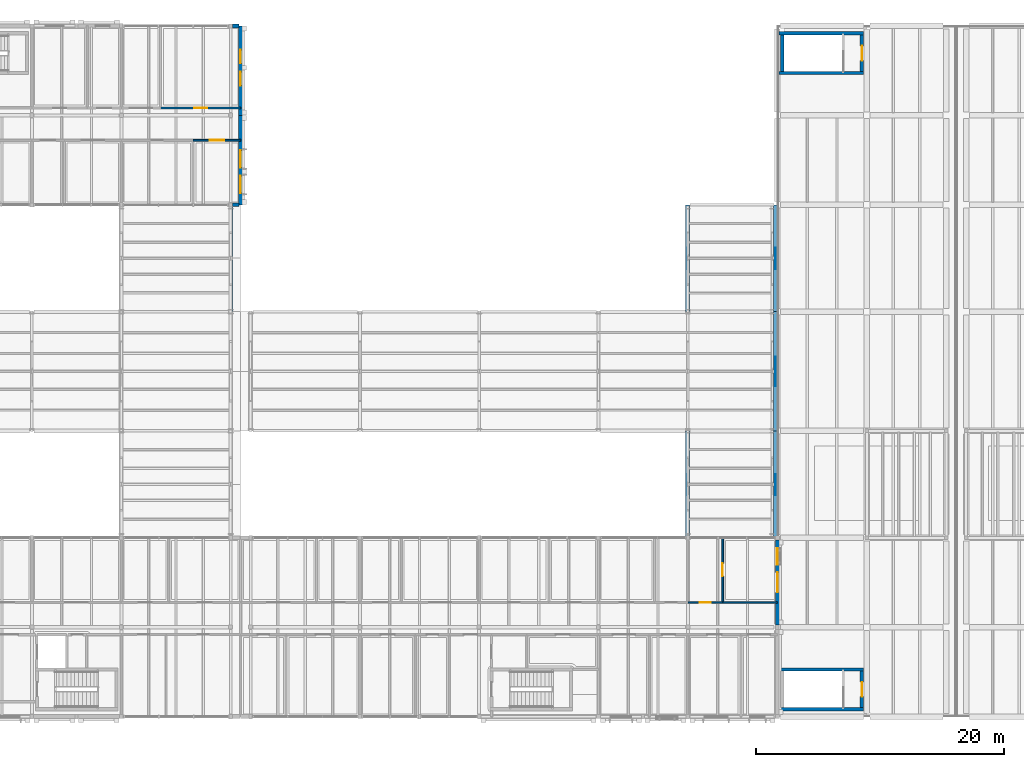
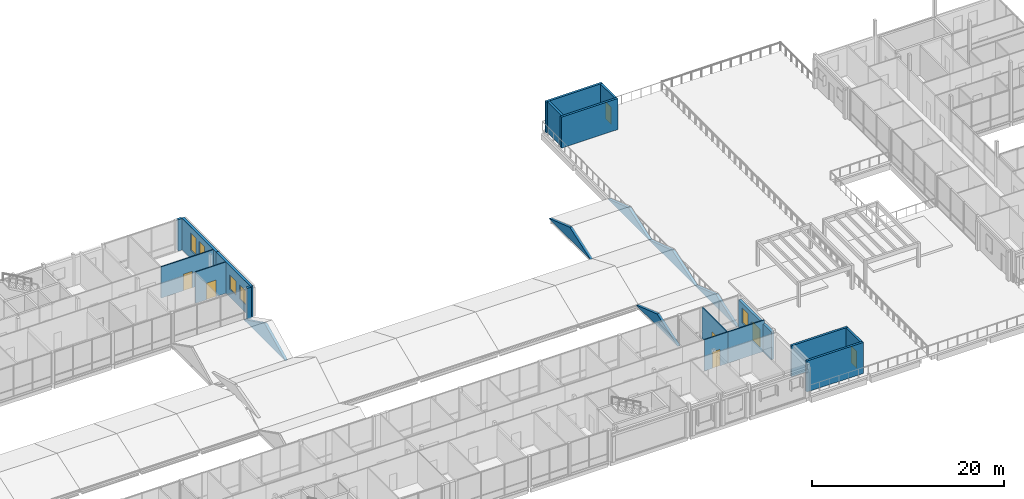
# One storey, part 91 of 115: 23 walls, 7 doors, 5 windows, 12 openings.
"""IFC4 building model written with IfcOpenShell, lengths in metres."""

from ifc_helpers import new_model, si_unit, direction, frame, frame_2d, origin, place, context, subcontext, project, spatial, polyline, rectangle, outline, extrude, material, layer, layer_set, type_object, element, fill, save


model = new_model("IFC4")

# Units and contexts
model_context = context("Model", 3, precision=1e-05, world=origin(), true_north=direction((0.0, 1.0)))
body_context = subcontext(model_context, "Body", "Model", "MODEL_VIEW")
ifc_project = project(units=[si_unit("LENGTHUNIT", "METRE"), si_unit("AREAUNIT", "SQUARE_METRE"), si_unit("VOLUMEUNIT", "CUBIC_METRE"), si_unit("PLANEANGLEUNIT", "RADIAN"), si_unit("MASSUNIT", "GRAM", prefix="KILO")], contexts=[model_context])

# Site, building, storey
site_placement = place(None, origin())
site = spatial("IfcSite", under=ifc_project, at=site_placement, CompositionType="ELEMENT")
building_placement = place(site_placement, origin())
building = spatial("IfcBuilding", under=site, at=building_placement, Name="Hawrajan Terrace Health Centre", CompositionType="ELEMENT")
storey_placement = place(building_placement, frame((0.0, 0.0, 9.0)))
storey = spatial("IfcBuildingStorey", under=building, at=storey_placement, Name="L02", CompositionType="ELEMENT", Elevation=9.0)

# Wall
ifc_material_1 = material(Name="Precast concrete C40/50", Category="concrete")
ifc_layer_1 = layer(ifc_material_1, 0.31005859375)
ifc_layer_set_1 = layer_set([ifc_layer_1], Name="Precast concrete C40/50")
wall_type_1 = type_object("IfcWallType", Name="ArtDecoFacadeWall_310", PredefinedType="SOLIDWALL", material=ifc_layer_set_1)
wall_1_placement = place(storey_placement, frame((71.159912109375, 45.39990234375, 0.0), z_axis=(0.0, 0.0, 1.0), x_axis=(1.0, 0.0, 0.0)))
element("IfcWall", 1, at=wall_1_placement, inside=storey, type_object=wall_type_1, Name="Exterior wall EW-L02-H08-05-2", PredefinedType="SOLIDWALL", context=body_context, shape_type="SweptSolid", body=[
    extrude(rectangle(XDim=0.5, YDim=0.31005859375, at=frame_2d((0.25, 0.0))), origin(), (0.0, 0.0, 1.0), 3.97998046875),
])

# Wall, openings, windows
wall_2_placement = place(storey_placement, frame((71.794921875, 45.39990234375, 0.0), z_axis=(0.0, 0.0, 1.0), x_axis=(0.0, 1.0, 0.0)))
wall_2 = element("IfcWall", 2, at=wall_2_placement, inside=storey, type_object=wall_type_1, Name="Exterior wall EW-L02-V09-05-1", PredefinedType="SOLIDWALL", context=body_context, shape_type="SweptSolid", body=[
    extrude(rectangle(XDim=7.2001953125, YDim=0.31005859375, at=frame_2d((3.60009765625, 0.0))), origin(), (0.0, 0.0, 1.0), 3.97998046875),
])
opening_1_placement = place(wall_2_placement, frame((0.93994140625, 0.0, 1.0)))
opening_1 = element("IfcOpeningElement", 3, at=opening_1_placement, cuts=wall_2, Name="Opening W-L02-151", PredefinedType="OPENING", context=body_context, shape_type="SweptSolid", body=[
    extrude(rectangle(XDim=1.3798828125, YDim=1.800048828125, at=frame_2d((0.68994140625, 0.89990234375))), frame((0.0, 0.1650390625, 0.0), z_axis=(0.0, -1.0, 0.0), x_axis=(1.0, 0.0, 0.0)), (0.0, 0.0, 1.0), 0.330078125),
])
opening_2_placement = place(wall_2_placement, frame((3.0, 0.0, 1.0)))
opening_2 = element("IfcOpeningElement", 4, at=opening_2_placement, cuts=wall_2, Name="Opening W-L02-152", PredefinedType="OPENING", context=body_context, shape_type="SweptSolid", body=[
    extrude(rectangle(XDim=1.3798828125, YDim=1.800048828125, at=frame_2d((0.68994140625, 0.89990234375))), frame((0.0, 0.1650390625, 0.0), z_axis=(0.0, -1.0, 0.0), x_axis=(1.0, 0.0, 0.0)), (0.0, 0.0, 1.0), 0.330078125),
])
ifc_material_2 = material(Name="Anodized bronze frame with double low-E glazing", Category="glass")
window_type_1 = type_object("IfcWindowType", Name="FacadeWindow_1380x1800", PartitioningType="SINGLE_PANEL", PredefinedType="WINDOW", material=ifc_material_2)
window_1_placement = place(opening_1_placement, origin())
window_1 = element("IfcWindow", 5, at=window_1_placement, inside=storey, type_object=window_type_1, Name="Window W-L02-151", OverallHeight=1.800048828125, OverallWidth=1.3798828125, PartitioningType="SINGLE_PANEL", PredefinedType="WINDOW", context=body_context, shape_type="SweptSolid", body=[
    extrude(rectangle(XDim=1.3798828125, YDim=1.800048828125, at=frame_2d((0.68994140625, 0.89990234375))), frame((0.0, 0.030029296875, 0.0), z_axis=(0.0, -1.0, 0.0), x_axis=(1.0, 0.0, 0.0)), (0.0, 0.0, 1.0), 0.06005859375),
])
fill(opening_1, window_1)
window_2_placement = place(opening_2_placement, origin())
window_2 = element("IfcWindow", 6, at=window_2_placement, inside=storey, type_object=window_type_1, Name="Window W-L02-152", OverallHeight=1.800048828125, OverallWidth=1.3798828125, PartitioningType="SINGLE_PANEL", PredefinedType="WINDOW", context=body_context, shape_type="SweptSolid", body=[
    extrude(rectangle(XDim=1.3798828125, YDim=1.800048828125, at=frame_2d((0.68994140625, 0.89990234375))), frame((0.0, 0.030029296875, 0.0), z_axis=(0.0, -1.0, 0.0), x_axis=(1.0, 0.0, 0.0)), (0.0, 0.0, 1.0), 0.06005859375),
])
fill(opening_2, window_2)

# Wall
wall_3_placement = place(storey_placement, frame((71.159912109375, 59.800048828125, 0.0), z_axis=(0.0, 0.0, 1.0), x_axis=(1.0, 0.0, 0.0)))
element("IfcWall", 7, at=wall_3_placement, inside=storey, type_object=wall_type_1, Name="Exterior wall EW-L02-H08-07-2", PredefinedType="SOLIDWALL", context=body_context, shape_type="SweptSolid", body=[
    extrude(rectangle(XDim=0.5, YDim=0.31005859375, at=frame_2d((0.25, 0.0))), origin(), (0.0, 0.0, 1.0), 3.97998046875),
])

# Wall, openings, windows
wall_4_placement = place(storey_placement, frame((71.794921875, 52.60009765625, 0.0), z_axis=(0.0, 0.0, 1.0), x_axis=(0.0, 1.0, 0.0)))
wall_4 = element("IfcWall", 8, at=wall_4_placement, inside=storey, type_object=wall_type_1, Name="Exterior wall EW-L02-V09-06-1", PredefinedType="SOLIDWALL", context=body_context, shape_type="SweptSolid", body=[
    extrude(rectangle(XDim=7.199951171875, YDim=0.31005859375, at=frame_2d((3.60009765625, 0.0))), origin(), (0.0, 0.0, 1.0), 3.97998046875),
])
opening_3_placement = place(wall_4_placement, frame((2.39990234375, 0.0, 1.0)))
opening_3 = element("IfcOpeningElement", 9, at=opening_3_placement, cuts=wall_4, Name="Opening W-L02-153", PredefinedType="OPENING", context=body_context, shape_type="SweptSolid", body=[
    extrude(rectangle(XDim=1.10009765625, YDim=2.199951171875, at=frame_2d((0.550048828125, 1.10009765625))), frame((0.0, 0.1650390625, 0.0), z_axis=(0.0, -1.0, 0.0), x_axis=(1.0, 0.0, 0.0)), (0.0, 0.0, 1.0), 0.330078125),
])
opening_4_placement = place(wall_4_placement, frame((4.179931640625, 0.0, 1.0)))
opening_4 = element("IfcOpeningElement", 10, at=opening_4_placement, cuts=wall_4, Name="Opening W-L02-154", PredefinedType="OPENING", context=body_context, shape_type="SweptSolid", body=[
    extrude(rectangle(XDim=1.10009765625, YDim=2.199951171875, at=frame_2d((0.550048828125, 1.10009765625))), frame((0.0, 0.1650390625, 0.0), z_axis=(0.0, -1.0, 0.0), x_axis=(1.0, 0.0, 0.0)), (0.0, 0.0, 1.0), 0.330078125),
])
window_type_2 = type_object("IfcWindowType", Name="FacadeWindow_1100x2200", PartitioningType="SINGLE_PANEL", PredefinedType="WINDOW", material=ifc_material_2)
window_3_placement = place(opening_3_placement, origin())
window_3 = element("IfcWindow", 11, at=window_3_placement, inside=storey, type_object=window_type_2, Name="Window W-L02-153", OverallHeight=2.199951171875, OverallWidth=1.10009765625, PartitioningType="SINGLE_PANEL", PredefinedType="WINDOW", context=body_context, shape_type="SweptSolid", body=[
    extrude(rectangle(XDim=1.10009765625, YDim=2.199951171875, at=frame_2d((0.550048828125, 1.10009765625))), frame((0.0, 0.030029296875, 0.0), z_axis=(0.0, -1.0, 0.0), x_axis=(1.0, 0.0, 0.0)), (0.0, 0.0, 1.0), 0.06005859375),
])
fill(opening_3, window_3)
window_4_placement = place(opening_4_placement, origin())
window_4 = element("IfcWindow", 12, at=window_4_placement, inside=storey, type_object=window_type_2, Name="Window W-L02-154", OverallHeight=2.199951171875, OverallWidth=1.10009765625, PartitioningType="SINGLE_PANEL", PredefinedType="WINDOW", context=body_context, shape_type="SweptSolid", body=[
    extrude(rectangle(XDim=1.10009765625, YDim=2.199951171875, at=frame_2d((0.550048828125, 1.10009765625))), frame((0.0, 0.030029296875, 0.0), z_axis=(0.0, -1.0, 0.0), x_axis=(1.0, 0.0, 0.0)), (0.0, 0.0, 1.0), 0.06005859375),
])
fill(opening_4, window_4)

# Wall, openings, window, door
wall_5_placement = place(storey_placement, frame((115.0, 11.580078125, 0.0), z_axis=(0.0, 0.0, 1.0), x_axis=(0.0, 1.0, 0.0)))
wall_5 = element("IfcWall", 13, at=wall_5_placement, inside=storey, type_object=wall_type_1, Name="Exterior wall EW-L02-V14-01-1", PredefinedType="SOLIDWALL", context=body_context, shape_type="SweptSolid", body=[
    extrude(rectangle(XDim=6.85986328125, YDim=0.31005859375, at=frame_2d((3.429931640625, 0.0))), origin(), (0.0, 0.0, 1.0), 3.52001953125),
])
opening_5_placement = place(wall_5_placement, frame((2.6298828125, 0.0, 0.0)))
opening_5 = element("IfcOpeningElement", 14, at=opening_5_placement, cuts=wall_5, Name="Opening D-L02-E019", PredefinedType="OPENING", context=body_context, shape_type="SweptSolid", body=[
    extrude(rectangle(XDim=1.60009765625, YDim=2.300048828125, at=frame_2d((0.800048828125, 1.14990234375))), frame((0.0, 0.1650390625, 0.0), z_axis=(0.0, -1.0, 0.0), x_axis=(1.0, 0.0, 0.0)), (0.0, 0.0, 1.0), 0.330078125),
])
opening_6_placement = place(wall_5_placement, frame((4.844970703125, 0.0, 1.0)))
opening_6 = element("IfcOpeningElement", 15, at=opening_6_placement, cuts=wall_5, Name="Opening W-L02-159", PredefinedType="OPENING", context=body_context, shape_type="SweptSolid", body=[
    extrude(rectangle(XDim=1.340087890625, YDim=1.949951171875, at=frame_2d((0.669921875, 0.97509765625))), frame((0.0, 0.1650390625, 0.0), z_axis=(0.0, -1.0, 0.0), x_axis=(1.0, 0.0, 0.0)), (0.0, 0.0, 1.0), 0.330078125),
])
window_type_3 = type_object("IfcWindowType", Name="FacadeWindow_1340x1950", PartitioningType="SINGLE_PANEL", PredefinedType="WINDOW", material=ifc_material_2)
window_5_placement = place(opening_6_placement, origin())
window_5 = element("IfcWindow", 16, at=window_5_placement, inside=storey, type_object=window_type_3, Name="Window W-L02-159", OverallHeight=1.949951171875, OverallWidth=1.340087890625, PartitioningType="SINGLE_PANEL", PredefinedType="WINDOW", context=body_context, shape_type="SweptSolid", body=[
    extrude(rectangle(XDim=1.340087890625, YDim=1.949951171875, at=frame_2d((0.669921875, 0.97509765625))), frame((0.0, 0.030029296875, 0.0), z_axis=(0.0, -1.0, 0.0), x_axis=(1.0, 0.0, 0.0)), (0.0, 0.0, 1.0), 0.06005859375),
])
fill(opening_6, window_5)
ifc_material_3 = material(Name="Anodized bronze thermally broken fire-rated glazed door")
door_type_1 = type_object("IfcDoorType", Name="TerraceAccessDoor_1600x2300", OperationType="DOUBLE_DOOR_SINGLE_SWING", PredefinedType="DOOR", material=ifc_material_3)
door_1_placement = place(opening_5_placement, frame((1.60009765625, 0.0, 0.0), z_axis=(0.0, 0.0, 1.0), x_axis=(-1.0, 0.0, 0.0)))
door_1 = element("IfcDoor", 17, at=door_1_placement, inside=storey, type_object=door_type_1, Name="South Podium Terrace Door D-L02-E019", OperationType="DOUBLE_DOOR_SINGLE_SWING", OverallHeight=2.300048828125, OverallWidth=1.60009765625, PredefinedType="DOOR", context=body_context, shape_type="SweptSolid", body=[
    extrude(rectangle(XDim=1.60009765625, YDim=2.300048828125, at=frame_2d((0.800048828125, 1.14990234375))), frame((0.0, 0.02490234375, 0.0), z_axis=(0.0, -1.0, 0.0), x_axis=(1.0, 0.0, 0.0)), (0.0, 0.0, 1.0), 0.050048828125),
])
fill(opening_5, door_1)

# Walls
wall_6_placement = place(storey_placement, frame((71.0, 36.800048828125, 0.0), z_axis=(0.0, 0.0, 1.0), x_axis=(0.0, 1.0, 0.0)))
element("IfcWall", 18, at=wall_6_placement, inside=storey, type_object=wall_type_1, Name="Glulam roof gable tympanum TYM-V1-E09-N", PredefinedType="SOLIDWALL", context=body_context, shape_type="SweptSolid", body=[
    extrude(outline(polyline([(0.0, 0.0), (8.599853515625, 0.0), (8.60009765625, 0.050048828125), (4.300048828125, 2.159912109375), (0.0, 0.050048828125), (0.0, 0.0)])), frame((0.0, 0.155029296875, 0.0), z_axis=(0.0, -1.0, 0.0), x_axis=(1.0, 0.0, 0.0)), (0.0, 0.0, 1.0), 0.31005859375),
])
for number, where, z_axis, x_axis, name in (
    (19, (107.760009765625, 18.60009765625, 0.0), (0.0, 0.0, 1.0), (0.0, 1.0, 0.0), "Glulam roof gable tympanum TYM-V1-W14-S"),
    (20, (107.760009765625, 36.800048828125, 0.0), (0.0, 0.0, 1.0), (0.0, 1.0, 0.0), "Glulam roof gable tympanum TYM-V1-W14-N"),
    (21, (114.840087890625, 18.60009765625, 0.0), (0.0, 0.0, 1.0), (0.0, 1.0, 0.0), "Glulam roof gable tympanum TYM-V1-E15-S"),
):
    element("IfcWall", number, at=place(storey_placement, frame(where, z_axis=z_axis, x_axis=x_axis)), inside=storey, type_object=wall_type_1, Name=name, PredefinedType="SOLIDWALL", context=body_context, shape_type="SweptSolid", body=[
        extrude(outline(polyline([(0.0, 0.0), (8.599853515625, 0.0), (8.60009765625, 0.050048828125), (4.300048828125, 1.52001953125), (0.0, 0.050048828125), (0.0, 0.0)])), frame((0.0, 0.155029296875, 0.0), z_axis=(0.0, -1.0, 0.0), x_axis=(1.0, 0.0, 0.0)), (0.0, 0.0, 1.0), 0.31005859375),
    ])
wall_7_placement = place(storey_placement, frame((114.840087890625, 27.199951171875, 0.0), z_axis=(0.0, 0.0, 1.0), x_axis=(0.0, 1.0, 0.0)))
element("IfcWall", 22, at=wall_7_placement, inside=storey, type_object=wall_type_1, Name="Glulam roof gable tympanum TYM-V1-E15-M", PredefinedType="SOLIDWALL", context=body_context, shape_type="SweptSolid", body=[
    extrude(outline(polyline([(0.0, 0.0), (9.60009765625, 0.0), (9.60009765625, 0.050048828125), (4.800048828125, 1.6201171875), (0.0, 0.050048828125), (0.0, 0.0)])), frame((0.0, 0.155029296875, 0.0), z_axis=(0.0, -1.0, 0.0), x_axis=(1.0, 0.0, 0.0)), (0.0, 0.0, 1.0), 0.31005859375),
])
wall_8_placement = place(storey_placement, frame((114.840087890625, 36.800048828125, 0.0), z_axis=(0.0, 0.0, 1.0), x_axis=(0.0, 1.0, 0.0)))
element("IfcWall", 23, at=wall_8_placement, inside=storey, type_object=wall_type_1, Name="Glulam roof gable tympanum TYM-V1-E15-N", PredefinedType="SOLIDWALL", context=body_context, shape_type="SweptSolid", body=[
    extrude(outline(polyline([(0.0, 0.0), (8.599853515625, 0.0), (8.60009765625, 0.050048828125), (4.300048828125, 1.52001953125), (0.0, 0.050048828125), (0.0, 0.0)])), frame((0.0, 0.155029296875, 0.0), z_axis=(0.0, -1.0, 0.0), x_axis=(1.0, 0.0, 0.0)), (0.0, 0.0, 1.0), 0.31005859375),
])

# Wall, opening, door
ifc_material_4 = material(Name="Gypsum board on acoustic stud framing")
ifc_layer_2 = layer(ifc_material_4, 0.139892578125)
ifc_layer_set_2 = layer_set([ifc_layer_2], Name="Gypsum board on acoustic stud framing")
wall_type_2 = type_object("IfcWallType", Name="ClinicalAcousticWall_140", PredefinedType="PARTITIONING", material=ifc_layer_set_2)
wall_9_placement = place(storey_placement, frame((65.35693359375, 53.199951171875, 0.0), z_axis=(0.0, 0.0, 1.0), x_axis=(1.0, 0.0, 0.0)))
wall_9 = element("IfcWall", 24, at=wall_9_placement, inside=storey, type_object=wall_type_2, Name="Interior wall IW-L02-1116", PredefinedType="PARTITIONING", context=body_context, shape_type="SweptSolid", body=[
    extrude(rectangle(XDim=6.43798828125, YDim=0.139892578125, at=frame_2d((3.218994140625, 0.0))), origin(), (0.0, 0.0, 1.0), 3.9599609375),
])
opening_7_placement = place(wall_9_placement, frame((2.698974609375, 0.0, 0.0)))
opening_7 = element("IfcOpeningElement", 25, at=opening_7_placement, cuts=wall_9, Name="Opening D-L02-504", PredefinedType="OPENING", context=body_context, shape_type="SweptSolid", body=[
    extrude(rectangle(XDim=1.0400390625, YDim=2.10009765625, at=frame_2d((0.52001953125, 1.050048828125))), frame((0.0, 0.079833984375, 0.0), z_axis=(0.0, -1.0, 0.0), x_axis=(1.0, 0.0, 0.0)), (0.0, 0.0, 1.0), 0.159912109375),
])
ifc_material_5 = material(Name="Hardwood acoustic clinical door leaf and frame", Category="wood")
door_type_2 = type_object("IfcDoorType", Name="ConsultDoor_1040x2100", OperationType="NOTDEFINED", PredefinedType="DOOR", material=ifc_material_5)
door_2_placement = place(opening_7_placement, origin())
door_2 = element("IfcDoor", 26, at=door_2_placement, inside=storey, type_object=door_type_2, Name="Interior door D-L02-504", OperationType="SINGLE_SWING_RIGHT", OverallHeight=2.10009765625, OverallWidth=1.0400390625, PredefinedType="DOOR", context=body_context, shape_type="SweptSolid", body=[
    extrude(rectangle(XDim=1.0400390625, YDim=2.10009765625, at=frame_2d((0.52001953125, 1.050048828125))), frame((0.0, 0.02490234375, 0.0), z_axis=(0.0, -1.0, 0.0), x_axis=(1.0, 0.0, 0.0)), (0.0, 0.0, 1.0), 0.050048828125),
])
fill(opening_7, door_2)

wall_10_placement = place(storey_placement, frame((67.97607421875, 50.60009765625, 0.0), z_axis=(0.0, 0.0, 1.0), x_axis=(1.0, 0.0, 0.0)))
wall_10 = element("IfcWall", 27, at=wall_10_placement, inside=storey, type_object=wall_type_2, Name="Interior wall IW-L02-1122", PredefinedType="PARTITIONING", context=body_context, shape_type="SweptSolid", body=[
    extrude(rectangle(XDim=3.81884765625, YDim=0.139892578125, at=frame_2d((1.909423828125, 0.0))), origin(), (0.0, 0.0, 1.0), 3.9599609375),
])
opening_8_placement = place(wall_10_placement, frame((1.32958984375, 0.0, 0.0)))
opening_8 = element("IfcOpeningElement", 28, at=opening_8_placement, cuts=wall_10, Name="Opening D-L02-502", PredefinedType="OPENING", context=body_context, shape_type="SweptSolid", body=[
    extrude(rectangle(XDim=1.159912109375, YDim=2.10009765625, at=frame_2d((0.580078125, 1.050048828125))), frame((0.0, 0.079833984375, 0.0), z_axis=(0.0, -1.0, 0.0), x_axis=(1.0, 0.0, 0.0)), (0.0, 0.0, 1.0), 0.159912109375),
])
door_type_3 = type_object("IfcDoorType", Name="ConsultDoor_1160x2100", OperationType="NOTDEFINED", PredefinedType="DOOR", material=ifc_material_5)
door_3_placement = place(opening_8_placement, origin())
door_3 = element("IfcDoor", 29, at=door_3_placement, inside=storey, type_object=door_type_3, Name="Interior door D-L02-502", OperationType="SINGLE_SWING_RIGHT", OverallHeight=2.10009765625, OverallWidth=1.159912109375, PredefinedType="DOOR", context=body_context, shape_type="SweptSolid", body=[
    extrude(rectangle(XDim=1.159912109375, YDim=2.10009765625, at=frame_2d((0.580078125, 1.050048828125))), frame((0.0, 0.02490234375, 0.0), z_axis=(0.0, -1.0, 0.0), x_axis=(1.0, 0.0, 0.0)), (0.0, 0.0, 1.0), 0.050048828125),
])
fill(opening_8, door_3)

wall_11_placement = place(storey_placement, frame((107.800048828125, 13.39990234375, 0.0), z_axis=(0.0, 0.0, 1.0), x_axis=(1.0, 0.0, 0.0)))
wall_11 = element("IfcWall", 30, at=wall_11_placement, inside=storey, type_object=wall_type_2, Name="Interior wall IW-L02-1158", PredefinedType="PARTITIONING", context=body_context, shape_type="SweptSolid", body=[
    extrude(rectangle(XDim=2.800048828125, YDim=0.139892578125, at=frame_2d((1.39990234375, 0.0))), origin(), (0.0, 0.0, 1.0), 3.9599609375),
])
opening_9_placement = place(wall_11_placement, frame((0.93994140625, 0.0, 0.0)))
opening_9 = element("IfcOpeningElement", 31, at=opening_9_placement, cuts=wall_11, Name="Opening D-L02-451", PredefinedType="OPENING", context=body_context, shape_type="SweptSolid", body=[
    extrude(rectangle(XDim=0.919921875, YDim=2.10009765625, at=frame_2d((0.4599609375, 1.050048828125))), frame((0.0, 0.079833984375, 0.0), z_axis=(0.0, -1.0, 0.0), x_axis=(1.0, 0.0, 0.0)), (0.0, 0.0, 1.0), 0.159912109375),
])
door_type_4 = type_object("IfcDoorType", Name="StaffOfficeDoor_920x2100", OperationType="NOTDEFINED", PredefinedType="DOOR", material=ifc_material_5)
door_4_placement = place(opening_9_placement, origin())
door_4 = element("IfcDoor", 32, at=door_4_placement, inside=storey, type_object=door_type_4, Name="Interior door D-L02-451", OperationType="SINGLE_SWING_LEFT", OverallHeight=2.10009765625, OverallWidth=0.919921875, PredefinedType="DOOR", context=body_context, shape_type="SweptSolid", body=[
    extrude(rectangle(XDim=0.919921875, YDim=2.10009765625, at=frame_2d((0.4599609375, 1.050048828125))), frame((0.0, 0.02490234375, 0.0), z_axis=(0.0, -1.0, 0.0), x_axis=(1.0, 0.0, 0.0)), (0.0, 0.0, 1.0), 0.050048828125),
])
fill(opening_9, door_4)

wall_12_placement = place(storey_placement, frame((110.60009765625, 13.469970703125, 0.0), z_axis=(0.0, 0.0, 1.0), x_axis=(0.0, 1.0, 0.0)))
wall_12 = element("IfcWall", 33, at=wall_12_placement, inside=storey, type_object=wall_type_2, Name="Interior wall IW-L02-1159", PredefinedType="PARTITIONING", context=body_context, shape_type="SweptSolid", body=[
    extrude(rectangle(XDim=5.130126953125, YDim=0.139892578125, at=frame_2d((2.56494140625, 0.0))), origin(), (0.0, 0.0, 1.0), 3.9599609375),
])
opening_10_placement = place(wall_12_placement, frame((2.044921875, 0.0, 0.0)))
opening_10 = element("IfcOpeningElement", 34, at=opening_10_placement, cuts=wall_12, Name="Opening D-L02-529", PredefinedType="OPENING", context=body_context, shape_type="SweptSolid", body=[
    extrude(rectangle(XDim=1.0400390625, YDim=2.10009765625, at=frame_2d((0.52001953125, 1.050048828125))), frame((0.0, 0.079833984375, 0.0), z_axis=(0.0, -1.0, 0.0), x_axis=(1.0, 0.0, 0.0)), (0.0, 0.0, 1.0), 0.159912109375),
])
door_5_placement = place(opening_10_placement, origin())
door_5 = element("IfcDoor", 35, at=door_5_placement, inside=storey, type_object=door_type_2, Name="Interior door D-L02-529", OperationType="SINGLE_SWING_LEFT", OverallHeight=2.10009765625, OverallWidth=1.0400390625, PredefinedType="DOOR", context=body_context, shape_type="SweptSolid", body=[
    extrude(rectangle(XDim=1.0400390625, YDim=2.10009765625, at=frame_2d((0.52001953125, 1.050048828125))), frame((0.0, 0.02490234375, 0.0), z_axis=(0.0, -1.0, 0.0), x_axis=(1.0, 0.0, 0.0)), (0.0, 0.0, 1.0), 0.050048828125),
])
fill(opening_10, door_5)

# Walls
wall_13_placement = place(storey_placement, frame((110.60009765625, 13.39990234375, 0.0), z_axis=(0.0, 0.0, 1.0), x_axis=(1.0, 0.0, 0.0)))
element("IfcWall", 36, at=wall_13_placement, inside=storey, type_object=wall_type_2, Name="Interior wall IW-L02-1160", PredefinedType="PARTITIONING", context=body_context, shape_type="SweptSolid", body=[
    extrude(rectangle(XDim=4.39990234375, YDim=0.139892578125, at=frame_2d((2.199951171875, 0.0))), origin(), (0.0, 0.0, 1.0), 3.9599609375),
])
ifc_material_6 = material(Name="Concrete C40/50", Category="concrete")
ifc_layer_3 = layer(ifc_material_6, 0.260009765625)
ifc_layer_set_3 = layer_set([ifc_layer_3], Name="Concrete C40/50")
wall_type_3 = type_object("IfcWallType", Name="CoreShearWall_RC260", PredefinedType="SHEAR", material=ifc_layer_set_3)
for number, where, z_axis, x_axis, name in (
    (37, (115.1298828125, 4.800048828125, 0.0), (0.0, 0.0, 1.0), (1.0, 0.0, 0.0), "Core shear wall SW-S6-L02-S"),
    (38, (115.1298828125, 8.0, 0.0), (0.0, 0.0, 1.0), (1.0, 0.0, 0.0), "Core shear wall SW-S6-L02-N"),
):
    element("IfcWall", number, at=place(storey_placement, frame(where, z_axis=z_axis, x_axis=x_axis)), inside=storey, type_object=wall_type_3, Name=name, PredefinedType="SHEAR", context=body_context, shape_type="SweptSolid", body=[
        extrude(rectangle(XDim=6.800048828125, YDim=0.260009765625, at=frame_2d((3.39990234375, 0.0))), origin(), (0.0, 0.0, 1.0), 3.949951171875),
    ])

# Wall, opening, door
wall_14_placement = place(storey_placement, frame((121.800048828125, 4.929931640625, 0.0), z_axis=(0.0, 0.0, 1.0), x_axis=(0.0, 1.0, 0.0)))
wall_14 = element("IfcWall", 39, at=wall_14_placement, inside=storey, type_object=wall_type_3, Name="Core shear wall SW-S6-L02-E", PredefinedType="SHEAR", context=body_context, shape_type="SweptSolid", body=[
    extrude(rectangle(XDim=2.940185546875, YDim=0.260009765625, at=frame_2d((1.47021484375, 0.0))), origin(), (0.0, 0.0, 1.0), 3.949951171875),
])
opening_11_placement = place(wall_14_placement, frame((0.8798828125, 0.0, 0.0)))
opening_11 = element("IfcOpeningElement", 40, at=opening_11_placement, cuts=wall_14, Name="Opening D-L02-S6", PredefinedType="OPENING", context=body_context, shape_type="SweptSolid", body=[
    extrude(rectangle(XDim=1.179931640625, YDim=2.14990234375, at=frame_2d((0.58984375, 1.074951171875))), frame((0.0, 0.139892578125, 0.0), z_axis=(0.0, -1.0, 0.0), x_axis=(1.0, 0.0, 0.0)), (0.0, 0.0, 1.0), 0.280029296875),
])
ifc_material_7 = material(Name="Timber-veneered acoustic fire-resisting door assembly", Category="wood")
door_type_5 = type_object("IfcDoorType", Name="CoreStairDoor_1180x2150", OperationType="NOTDEFINED", PredefinedType="DOOR", material=ifc_material_7)
door_6_placement = place(opening_11_placement, frame((1.179931640625, 0.0, 0.0), z_axis=(0.0, 0.0, 1.0), x_axis=(-1.0, 0.0, 0.0)))
door_6 = element("IfcDoor", 41, at=door_6_placement, inside=storey, type_object=door_type_5, Name="Protected stair terrace exit door D-L02-S6", OperationType="SINGLE_SWING_LEFT", OverallHeight=2.14990234375, OverallWidth=1.179931640625, PredefinedType="DOOR", context=body_context, shape_type="SweptSolid", body=[
    extrude(rectangle(XDim=1.179931640625, YDim=2.14990234375, at=frame_2d((0.58984375, 1.074951171875))), frame((0.0, 0.02490234375, 0.0), z_axis=(0.0, -1.0, 0.0), x_axis=(1.0, 0.0, 0.0)), (0.0, 0.0, 1.0), 0.050048828125),
])
fill(opening_11, door_6)

# Walls
for number, where, z_axis, x_axis, name in (
    (42, (115.1298828125, 56.0, 0.0), (0.0, 0.0, 1.0), (1.0, 0.0, 0.0), "Core shear wall SW-S7-L02-S"),
    (43, (115.1298828125, 59.199951171875, 0.0), (0.0, 0.0, 1.0), (1.0, 0.0, 0.0), "Core shear wall SW-S7-L02-N"),
):
    element("IfcWall", number, at=place(storey_placement, frame(where, z_axis=z_axis, x_axis=x_axis)), inside=storey, type_object=wall_type_3, Name=name, PredefinedType="SHEAR", context=body_context, shape_type="SweptSolid", body=[
        extrude(rectangle(XDim=6.800048828125, YDim=0.260009765625, at=frame_2d((3.39990234375, 0.0))), origin(), (0.0, 0.0, 1.0), 3.949951171875),
    ])
wall_15_placement = place(storey_placement, frame((115.39990234375, 56.1298828125, 0.0), z_axis=(0.0, 0.0, 1.0), x_axis=(0.0, 1.0, 0.0)))
element("IfcWall", 44, at=wall_15_placement, inside=storey, type_object=wall_type_3, Name="Core shear wall SW-S7-L02-W", PredefinedType="SHEAR", context=body_context, shape_type="SweptSolid", body=[
    extrude(rectangle(XDim=2.940185546875, YDim=0.260009765625, at=frame_2d((1.47021484375, 0.0))), origin(), (0.0, 0.0, 1.0), 3.949951171875),
])

# Wall, opening, door
wall_16_placement = place(storey_placement, frame((121.800048828125, 56.1298828125, 0.0), z_axis=(0.0, 0.0, 1.0), x_axis=(0.0, 1.0, 0.0)))
wall_16 = element("IfcWall", 45, at=wall_16_placement, inside=storey, type_object=wall_type_3, Name="Core shear wall SW-S7-L02-E", PredefinedType="SHEAR", context=body_context, shape_type="SweptSolid", body=[
    extrude(rectangle(XDim=2.940185546875, YDim=0.260009765625, at=frame_2d((1.47021484375, 0.0))), origin(), (0.0, 0.0, 1.0), 3.949951171875),
])
opening_12_placement = place(wall_16_placement, frame((0.8798828125, 0.0, 0.0)))
opening_12 = element("IfcOpeningElement", 46, at=opening_12_placement, cuts=wall_16, Name="Opening D-L02-S7", PredefinedType="OPENING", context=body_context, shape_type="SweptSolid", body=[
    extrude(rectangle(XDim=1.179931640625, YDim=2.14990234375, at=frame_2d((0.58984375, 1.074951171875))), frame((0.0, 0.139892578125, 0.0), z_axis=(0.0, -1.0, 0.0), x_axis=(1.0, 0.0, 0.0)), (0.0, 0.0, 1.0), 0.280029296875),
])
door_7_placement = place(opening_12_placement, frame((1.179931640625, 0.0, 0.0), z_axis=(0.0, 0.0, 1.0), x_axis=(-1.0, 0.0, 0.0)))
door_7 = element("IfcDoor", 47, at=door_7_placement, inside=storey, type_object=door_type_5, Name="Protected stair terrace exit door D-L02-S7", OperationType="SINGLE_SWING_RIGHT", OverallHeight=2.14990234375, OverallWidth=1.179931640625, PredefinedType="DOOR", context=body_context, shape_type="SweptSolid", body=[
    extrude(rectangle(XDim=1.179931640625, YDim=2.14990234375, at=frame_2d((0.58984375, 1.074951171875))), frame((0.0, 0.02490234375, 0.0), z_axis=(0.0, -1.0, 0.0), x_axis=(1.0, 0.0, 0.0)), (0.0, 0.0, 1.0), 0.050048828125),
])
fill(opening_12, door_7)

save(model, "model.ifc")
